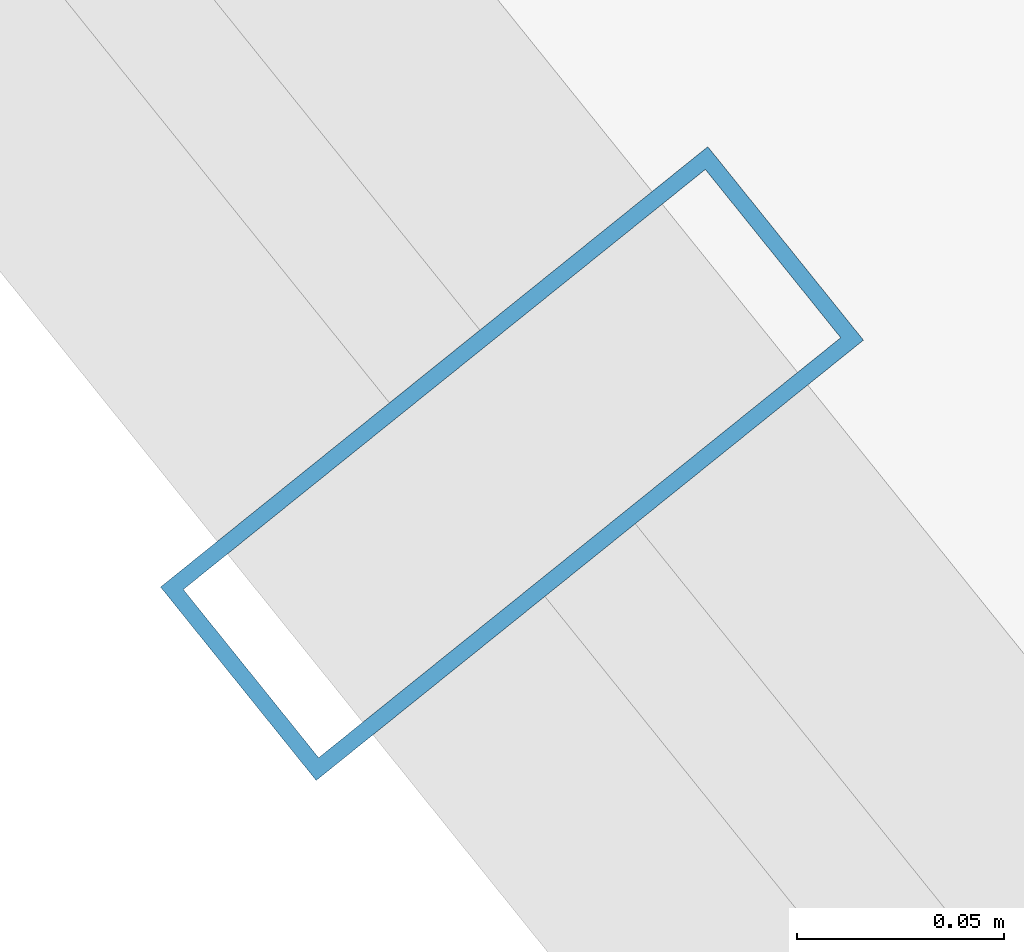
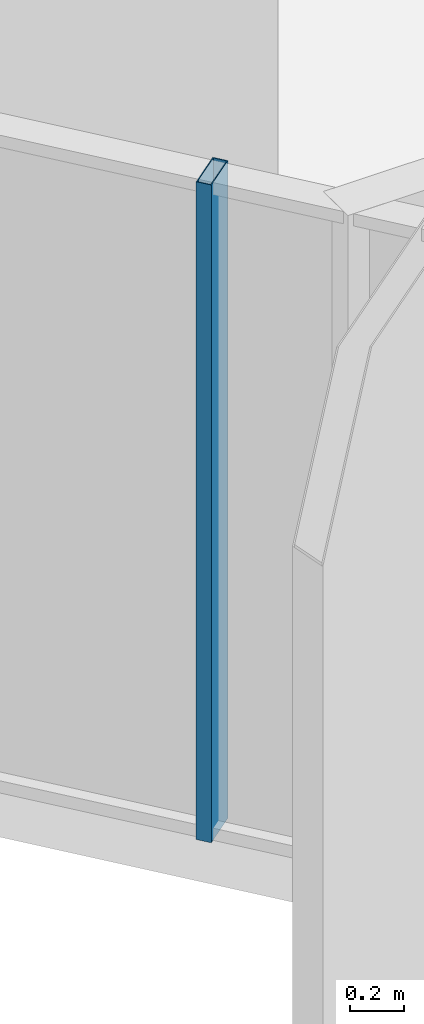
# One storey, part 4 of 37: 1 member, 1 element without a shape of its own.
"""IFC4 building model written with IfcOpenShell, lengths in metres."""

from ifc_helpers import new_model, si_unit, direction, frame, origin, origin_2d, place, context, subcontext, project, spatial, hollow_rectangle, extrude, source, transform, mapped, material, layer, layer_set, material_profile, profile_set, type_object, element, aggregate, save


model = new_model("IFC4")

# Units and contexts
model_context = context("Model", 3, precision=1e-05, world=origin(), true_north=direction((0.0, 1.0)))
body_context = subcontext(model_context, "Body", "Model", "MODEL_VIEW")
ifc_project = project(units=[si_unit("LENGTHUNIT", "METRE"), si_unit("AREAUNIT", "SQUARE_METRE"), si_unit("VOLUMEUNIT", "CUBIC_METRE"), si_unit("PLANEANGLEUNIT", "RADIAN"), si_unit("MASSUNIT", "GRAM", prefix="KILO")], contexts=[model_context])

# Site, building, storey
site_placement = place(None, origin())
site = spatial("IfcSite", under=ifc_project, at=site_placement, CompositionType="ELEMENT")
building_placement = place(site_placement, origin())
building = spatial("IfcBuilding", under=site, at=building_placement, Name="Veraguas Prism Commons", CompositionType="ELEMENT")
storey_placement = place(building_placement, frame((0.0, 0.0, 53.300048828125)))
storey = spatial("IfcBuildingStorey", under=building, at=storey_placement, Name="L14", CompositionType="ELEMENT", Elevation=53.300048828125)

# Curtain wall, member
ifc_material = material(Name="Anodised aluminium EN AW-6063 T6", Category="aluminium")
ifc_layer = layer(ifc_material, 0.169921875, Name="Unitised Flush Curtain Wall Zone 1", Category="aluminium")
ifc_layer_set = layer_set([ifc_layer], Name="Anodised aluminium EN AW-6063 T6")
curtain_wall_type = type_object("IfcCurtainWallType", Name="Unitised Flush Curtain Wall Zone 1", PredefinedType="NOTDEFINED", material=ifc_layer_set)
curtain_wall_placement = place(storey_placement, origin())
curtain_wall = element("IfcCurtainWall", 1, at=curtain_wall_placement, inside=storey, type_object=curtain_wall_type, Name="Tower Facade Curtain Wall L14-F4", PredefinedType="NOTDEFINED")
ifc_material_profile = material_profile(ifc_material, hollow_rectangle(XDim=0.06005859375, YDim=0.169921875, WallThickness=0.00390625, at=origin_2d()), Name="AL60X170X4")
ifc_profile_set = profile_set([ifc_material_profile], Name="Anodised aluminium EN AW-6063 T6")
member_type = type_object("IfcMemberType", Name="Curtain Wall Mullion Lower AL 60x170x4", PredefinedType="MULLION", material=ifc_profile_set)
shared_shape = source(origin(), body_context, "Body", "SweptSolid", [
    extrude(hollow_rectangle(XDim=0.06005859375, YDim=0.169921875, WallThickness=0.00390625, at=origin_2d()), origin(), (0.0, 0.0, 1.0), 2.969970703125),
])
member_placement = place(storey_placement, frame((4.878173828125, 14.60986328125, 0.0), z_axis=(0.0, 0.0, 1.0), x_axis=(0.626873093811, -0.779121379668, 0.0)))
member = element("IfcMember", 2, at=member_placement, type_object=member_type, Name="CW-Z1 Mullion 2", PredefinedType="MULLION", context=body_context, shape_type="MappedRepresentation", body=[
    mapped(shared_shape, transform((0.0, 0.0, 0.0), scale=1.0)),
])
aggregate(curtain_wall, [member])

save(model, "model.ifc")
